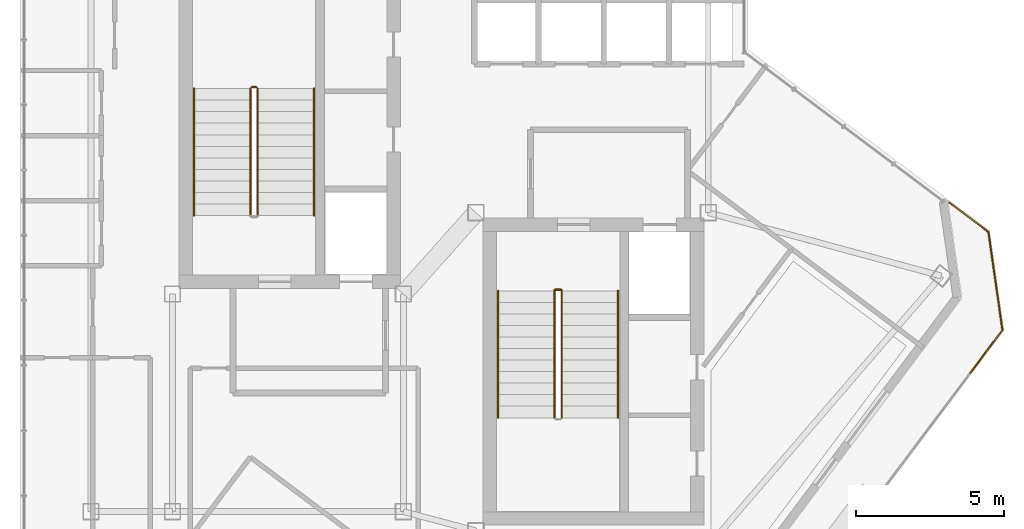
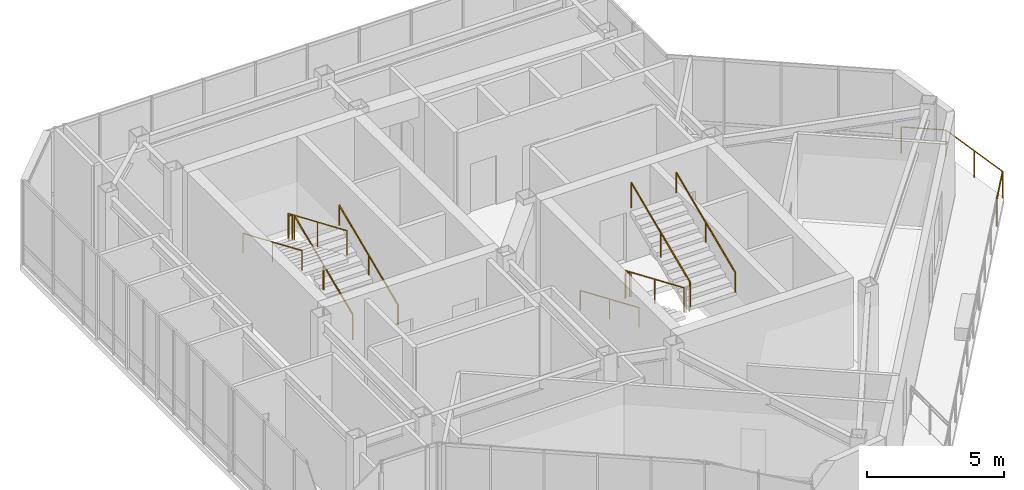
# One storey, part 22 of 23: 15 railings.
"""IFC4 building model written with IfcOpenShell, lengths in metres."""

import ifcopenshell
import ifcopenshell.guid

model = None  # the IFC model being written
_history = None  # IfcOwnerHistory: only IFC2X3 demands one
_inside = {}  # id of a spatial element -> (the spatial element, [elements in it])
_under = {}  # id of a project, library or spatial element -> (it, [spatial elements below it])
_declared = {}  # id of a project -> (the project, [libraries it declares])
_typed = {}  # id of a type object -> (the type object, [elements of that type])
_made_of = {}  # id of a material, layer set ... -> (it, [elements and type objects made of it])


def new_model(schema):
    """Start an empty IFC model of exactly this schema.

    Asked for "IFC4X3", IfcOpenShell would pick the latest addendum, in which some entities
    have other attributes; the version numbers below select the first issue.
    IFC2X3 requires an IfcOwnerHistory on every rooted entity: one is made here for all.
    """
    global model, _history
    if schema == "IFC4X3":
        model = ifcopenshell.file(schema_version=(4, 3, 0, 0))
    else:
        model = ifcopenshell.file(schema=schema)
    _inside.clear()
    _under.clear()
    _declared.clear()
    _typed.clear()
    _made_of.clear()
    _history = None
    if model.schema == "IFC2X3":
        org = make("IfcOrganization", Name="unknown")
        user = make(
            "IfcPersonAndOrganization",
            ThePerson=make("IfcPerson", FamilyName="unknown"),
            TheOrganization=org,
        )
        app = make(
            "IfcApplication",
            ApplicationDeveloper=org,
            Version="unknown",
            ApplicationFullName="unknown",
            ApplicationIdentifier="unknown",
        )
        _history = make(
            "IfcOwnerHistory",
            OwningUser=user,
            OwningApplication=app,
            ChangeAction="ADDED",
            CreationDate=0,
        )
    return model


def make(cls, **values):
    """One entity of the class cls with the attributes given. An attribute that is None is left unset."""
    return model.create_entity(
        cls, **{name: value for name, value in values.items() if value is not None}
    )


def rooted(cls, **values):
    """An entity with a GlobalId (a new one), such as an element, a storey or a relation."""
    return make(cls, GlobalId=ifcopenshell.guid.new(), OwnerHistory=_history, **values)


def si_unit(unit_type, name, prefix=None):
    """IfcSIUnit, for example si_unit("LENGTHUNIT", "METRE", prefix="MILLI")."""
    return make("IfcSIUnit", UnitType=unit_type, Prefix=prefix, Name=name)


def assignment(units):
    """IfcUnitAssignment: the units of a project."""
    return None if units is None else make("IfcUnitAssignment", Units=units)


def point(xyz):
    """IfcCartesianPoint."""
    return None if xyz is None else make("IfcCartesianPoint", Coordinates=xyz)


def direction(xyz):
    """IfcDirection."""
    return None if xyz is None else make("IfcDirection", DirectionRatios=xyz)


def frame(location, z_axis=None, x_axis=None):
    """IfcAxis2Placement3D, a coordinate frame: its origin and axes. An axis left out is left unset."""
    return make(
        "IfcAxis2Placement3D",
        Location=point(location),
        Axis=direction(z_axis),
        RefDirection=direction(x_axis),
    )


def frame_2d(location, x_axis=None):
    """IfcAxis2Placement2D, a coordinate frame in the plane: its origin and x axis."""
    return make(
        "IfcAxis2Placement2D", Location=point(location), RefDirection=direction(x_axis)
    )


def origin():
    """The frame at (0, 0, 0) with its axes left unset."""
    return frame((0.0, 0.0, 0.0))


def origin_2d():
    """The frame at (0, 0) in the plane with its x axis left unset."""
    return frame_2d((0.0, 0.0))


def place(relative_to, where):
    """IfcLocalPlacement: puts the frame where relative to a parent placement (None: the world)."""
    return make(
        "IfcLocalPlacement", PlacementRelTo=relative_to, RelativePlacement=where
    )


def context(
    kind, dimensions, precision=None, world=None, true_north=None, identifier=None
):
    """IfcGeometricRepresentationContext, for example the 3D "Model" context."""
    return make(
        "IfcGeometricRepresentationContext",
        ContextIdentifier=identifier,
        ContextType=kind,
        CoordinateSpaceDimension=dimensions,
        Precision=precision,
        WorldCoordinateSystem=world,
        TrueNorth=true_north,
    )


def subcontext(parent, identifier, kind, view, scale=None):
    """IfcGeometricRepresentationSubContext, for example "Body" below "Model"."""
    return make(
        "IfcGeometricRepresentationSubContext",
        ContextIdentifier=identifier,
        ContextType=kind,
        ParentContext=parent,
        TargetScale=scale,
        TargetView=view,
    )


def project(units=None, contexts=None):
    """IfcProject with its units and contexts."""
    return rooted(
        "IfcProject",
        Name="project",
        RepresentationContexts=contexts,
        UnitsInContext=assignment(units),
    )


def spatial(cls, under=None, at=None, **own):
    """A site, building, storey or space (cls), placed at a placement, below another one or the project."""
    s = rooted(cls, ObjectPlacement=at, **own)
    if under is not None:
        _under.setdefault(under.id(), (under, []))[1].append(s)
    return s


def profile(cls, at=None, kind="AREA", **sizes):
    """A parametric profile (cls). Its sizes go by their IFC names, for example OverallWidth=200.0."""
    return make(cls, ProfileType=kind, Position=at, **sizes)


def circle(**sizes):
    """IfcCircleProfileDef."""
    return profile("IfcCircleProfileDef", **sizes)


def extrude(swept, where, along, depth):
    """IfcExtrudedAreaSolid: the profile swept, set in the frame where, extruded along a direction by depth."""
    return make(
        "IfcExtrudedAreaSolid",
        SweptArea=swept,
        Position=where,
        ExtrudedDirection=direction(along),
        Depth=depth,
    )


def shape(context_of_items, identifier, shape_type, items):
    """IfcShapeRepresentation: the items that make up one representation, for example the "Body"."""
    return make(
        "IfcShapeRepresentation",
        ContextOfItems=context_of_items,
        RepresentationIdentifier=identifier,
        RepresentationType=shape_type,
        Items=items,
    )


def material(Name=None, Category=None):
    """IfcMaterial."""
    return make("IfcMaterial", Name=Name, Category=Category)


def layer(
    of_material, thickness, ventilated=None, Name=None, Category=None, Priority=None
):
    """IfcMaterialLayer: one layer of a wall or slab, of a material (None: an air gap)."""
    return make(
        "IfcMaterialLayer",
        Material=of_material,
        LayerThickness=thickness,
        IsVentilated=ventilated,
        Name=Name,
        Category=Category,
        Priority=Priority,
    )


def layer_set(layers, Name=None):
    """IfcMaterialLayerSet."""
    return make("IfcMaterialLayerSet", MaterialLayers=layers, LayerSetName=Name)


def made_of(thing, what):
    """Note that an element or type object is made of a material, layer set ...; save() writes the relation."""
    if what is not None:
        _made_of.setdefault(what.id(), (what, []))[1].append(thing)
    return thing


def type_object(cls, material=None, **own):
    """A type object (cls), such as IfcWallType, which elements share."""
    return made_of(rooted(cls, **own), material)


def element(
    cls,
    number,
    at=None,
    inside=None,
    cuts=None,
    type_object=None,
    material=None,
    context=None,
    identifier="Body",
    shape_type=None,
    held_by="IfcProductDefinitionShape",
    body=None,
    shapes=None,
    **own,
):
    """One element of the class cls, such as IfcWall. Its Tag is "e" and its number.

    at: its placement. inside: the storey or other place that contains it. cuts: it is an
    opening in that element (IfcRelVoidsElement). A single representation is given by context,
    identifier, shape_type and body (its items); several are given by shapes. held_by: the class
    of the entity that holds the representations. save() writes the other relations.
    """
    e = rooted(cls, Tag="e%d" % number, ObjectPlacement=at, **own)
    if body is not None:
        shapes = [shape(context, identifier, shape_type, body)]
    if shapes is not None:
        e.Representation = make(held_by, Representations=shapes)
    if inside is not None:
        _inside.setdefault(inside.id(), (inside, []))[1].append(e)
    if cuts is not None:
        rooted(
            "IfcRelVoidsElement", RelatingBuildingElement=cuts, RelatedOpeningElement=e
        )
    if type_object is not None:
        _typed.setdefault(type_object.id(), (type_object, []))[1].append(e)
    return made_of(e, material)


def aggregate(whole, parts):
    """IfcRelAggregates: a whole, such as a stair, and the parts it consists of."""
    return rooted("IfcRelAggregates", RelatingObject=whole, RelatedObjects=parts)


def save(model, path):
    """Write the relations noted so far, then the file.

    IfcRelAggregates (storeys below a building ...), IfcRelContainedInSpatialStructure (elements
    in a storey), IfcRelDefinesByType, IfcRelAssociatesMaterial and IfcRelDeclares: one each for
    every whole, place, type object, material and project.
    """
    for whole, parts in _under.values():
        aggregate(whole, parts)
    for where, things in _inside.values():
        rooted(
            "IfcRelContainedInSpatialStructure",
            RelatedElements=things,
            RelatingStructure=where,
        )
    for kind, things in _typed.values():
        rooted("IfcRelDefinesByType", RelatedObjects=things, RelatingType=kind)
    for what, things in _made_of.values():
        rooted("IfcRelAssociatesMaterial", RelatedObjects=things, RelatingMaterial=what)
    for by, libraries in _declared.values():
        rooted("IfcRelDeclares", RelatingContext=by, RelatedDefinitions=libraries)
    model.write(path)


model = new_model("IFC4")

# Units and contexts
model_context = context("Model", 3, precision=1e-05, world=origin(), true_north=direction((0.0, 1.0)))
body_context = subcontext(model_context, "Body", "Model", "MODEL_VIEW")
ifc_project = project(units=[si_unit("LENGTHUNIT", "METRE"), si_unit("AREAUNIT", "SQUARE_METRE"), si_unit("VOLUMEUNIT", "CUBIC_METRE"), si_unit("PLANEANGLEUNIT", "RADIAN"), si_unit("MASSUNIT", "GRAM", prefix="KILO")], contexts=[model_context])

# Site, building, storey
site_placement = place(None, origin())
site = spatial("IfcSite", under=ifc_project, at=site_placement, CompositionType="ELEMENT")
building_placement = place(site_placement, origin())
building = spatial("IfcBuilding", under=site, at=building_placement, Name="Hatsunagi Terrace Concourse", CompositionType="ELEMENT")
storey_placement = place(building_placement, frame((0.0, 0.0, 281.949951171875)))
storey = spatial("IfcBuildingStorey", under=building, at=storey_placement, Name="L74", CompositionType="ELEMENT", Elevation=281.949951171875)

# Railings
ifc_material_1 = material(Name="Stainless steel", Category="steel")
ifc_layer_1 = layer(ifc_material_1, 0.044921875)
ifc_layer_set_1 = layer_set([ifc_layer_1], Name="StairPitchHandrail_Tower2000")
railing_type_1 = type_object("IfcRailingType", Name="StairPitchHandrail_Tower2000", PredefinedType="HANDRAIL", material=ifc_layer_set_1)
railing_1_placement = place(storey_placement, frame((30.330078125, 35.199951171875, 0.166748046875)))
element("IfcRailing", 1, at=railing_1_placement, inside=storey, type_object=railing_type_1, Name="L74 ST-A stair handrail 1", PredefinedType="HANDRAIL", context=body_context, shape_type="SweptSolid", body=[
    extrude(circle(Radius=0.02392578125, at=origin_2d()), frame((0.0, 0.0, 0.8759765625), z_axis=(0.0, 0.919558658016, 0.39295276366), x_axis=(-1.0, 0.0, 0.0)), (0.0, 0.0, 1.0), 4.665283203125),
    extrude(circle(Radius=0.02099609375, at=origin_2d()), origin(), (0.0, 0.0, 1.0), 0.851806640625),
    extrude(circle(Radius=0.02099609375, at=origin_2d()), frame((0.0, 2.14501953125, 0.91650390625)), (0.0, 0.0, 1.0), 0.851806640625),
    extrude(circle(Radius=0.02099609375, at=origin_2d()), frame((0.0, 4.2900390625, 1.833251953125)), (0.0, 0.0, 1.0), 0.851806640625),
])
railing_2_placement = place(storey_placement, frame((26.280029296875, 39.489990234375, 2.166748046875)))
element("IfcRailing", 2, at=railing_2_placement, inside=storey, type_object=railing_type_1, Name="L74 ST-A stair handrail 2", PredefinedType="HANDRAIL", context=body_context, shape_type="SweptSolid", body=[
    extrude(circle(Radius=0.02392578125, at=origin_2d()), frame((0.0, 0.0, 0.8759765625), z_axis=(0.0, -0.919558658016, 0.39295276366), x_axis=(1.0, 0.0, 0.0)), (0.0, 0.0, 1.0), 4.665283203125),
    extrude(circle(Radius=0.02099609375, at=origin_2d()), origin(), (0.0, 0.0, 1.0), 0.851806640625),
    extrude(circle(Radius=0.02099609375, at=origin_2d()), frame((0.0, -2.14501953125, 0.91650390625)), (0.0, 0.0, 1.0), 0.851806640625),
    extrude(circle(Radius=0.02099609375, at=origin_2d()), frame((0.0, -4.2900390625, 1.833251953125)), (0.0, 0.0, 1.0), 0.851806640625),
])
railing_3_placement = place(storey_placement, frame((36.550048828125, 32.659912109375, 0.166748046875)))
element("IfcRailing", 3, at=railing_3_placement, inside=storey, type_object=railing_type_1, Name="L74 ST-B stair handrail 1", PredefinedType="HANDRAIL", context=body_context, shape_type="SweptSolid", body=[
    extrude(circle(Radius=0.02392578125, at=origin_2d()), frame((0.0, 0.0, 0.8759765625), z_axis=(0.0, -0.919550576919, 0.392971673899), x_axis=(1.0, 0.0, 0.0)), (0.0, 0.0, 1.0), 4.6650390625),
    extrude(circle(Radius=0.02099609375, at=origin_2d()), origin(), (0.0, 0.0, 1.0), 0.851806640625),
    extrude(circle(Radius=0.02099609375, at=origin_2d()), frame((0.0, -2.14501953125, 0.91650390625)), (0.0, 0.0, 1.0), 0.851806640625),
    extrude(circle(Radius=0.02099609375, at=origin_2d()), frame((0.0, -4.289794921875, 1.833251953125)), (0.0, 0.0, 1.0), 0.851806640625),
])
railing_4_placement = place(storey_placement, frame((40.60009765625, 28.3701171875, 2.166748046875)))
element("IfcRailing", 4, at=railing_4_placement, inside=storey, type_object=railing_type_1, Name="L74 ST-B stair handrail 2", PredefinedType="HANDRAIL", context=body_context, shape_type="SweptSolid", body=[
    extrude(circle(Radius=0.02392578125, at=origin_2d()), frame((0.0, 0.0, 0.8759765625), z_axis=(0.0, 0.919550576919, 0.392971673899), x_axis=(-1.0, 0.0, 0.0)), (0.0, 0.0, 1.0), 4.6650390625),
    extrude(circle(Radius=0.02099609375, at=origin_2d()), origin(), (0.0, 0.0, 1.0), 0.851806640625),
    extrude(circle(Radius=0.02099609375, at=origin_2d()), frame((0.0, 2.14501953125, 0.91650390625)), (0.0, 0.0, 1.0), 0.851806640625),
    extrude(circle(Radius=0.02099609375, at=origin_2d()), frame((0.0, 4.289794921875, 1.833251953125)), (0.0, 0.0, 1.0), 0.851806640625),
])
ifc_material_2 = material(Name="Stainless steel", Category="steel")
ifc_layer_2 = layer(ifc_material_2, 0.06005859375)
ifc_layer_set_2 = layer_set([ifc_layer_2], Name="StairWellGuard_Tower2000")
railing_type_2 = type_object("IfcRailingType", Name="StairWellGuard_Tower2000", PredefinedType="BALUSTRADE", material=ifc_layer_set_2)
railing_5_placement = place(storey_placement, frame((28.429931640625, 35.199951171875, 0.166748046875)))
element("IfcRailing", 5, at=railing_5_placement, inside=storey, type_object=railing_type_2, Name="L74 ST-A stair guard 1", PredefinedType="BALUSTRADE", context=body_context, shape_type="SweptSolid", body=[
    extrude(circle(Radius=0.02392578125, at=origin_2d()), frame((0.0, 0.0, 1.09619140625), z_axis=(0.0, 0.919558658016, 0.39295276366), x_axis=(-1.0, 0.0, 0.0)), (0.0, 0.0, 1.0), 4.665283203125),
    extrude(circle(Radius=0.02099609375, at=origin_2d()), origin(), (0.0, 0.0, 1.0), 1.072021484375),
    extrude(circle(Radius=0.02099609375, at=origin_2d()), frame((0.0, 2.14501953125, 0.91650390625)), (0.0, 0.0, 1.0), 1.072021484375),
    extrude(circle(Radius=0.02099609375, at=origin_2d()), frame((0.0, 4.2900390625, 1.833251953125)), (0.0, 0.0, 1.0), 1.072021484375),
])
railing_6_placement = place(storey_placement, frame((28.3798828125, 39.5400390625, 2.0)))
element("IfcRailing", 6, at=railing_6_placement, inside=storey, type_object=railing_type_2, Name="L74 ST-A stair guard 2", PredefinedType="BALUSTRADE", context=body_context, shape_type="SweptSolid", body=[
    extrude(circle(Radius=0.02392578125, at=origin_2d()), frame((0.0, 0.0, 1.09619140625), z_axis=(-1.0, 0.0, 0.0), x_axis=(0.0, -1.0, 0.0)), (0.0, 0.0, 1.0), 0.14990234375),
    extrude(circle(Radius=0.02099609375, at=origin_2d()), origin(), (0.0, 0.0, 1.0), 1.072021484375),
    extrude(circle(Radius=0.02099609375, at=origin_2d()), frame((-0.14990234375, 0.0, 0.0)), (0.0, 0.0, 1.0), 1.072021484375),
])
railing_7_placement = place(storey_placement, frame((28.179931640625, 39.489990234375, 2.166748046875)))
element("IfcRailing", 7, at=railing_7_placement, inside=storey, type_object=railing_type_2, Name="L74 ST-A stair guard 3", PredefinedType="BALUSTRADE", context=body_context, shape_type="SweptSolid", body=[
    extrude(circle(Radius=0.02392578125, at=origin_2d()), frame((0.0, 0.0, 1.09619140625), z_axis=(0.0, -0.919558658016, 0.39295276366), x_axis=(1.0, 0.0, 0.0)), (0.0, 0.0, 1.0), 4.665283203125),
    extrude(circle(Radius=0.02099609375, at=origin_2d()), origin(), (0.0, 0.0, 1.0), 1.072021484375),
    extrude(circle(Radius=0.02099609375, at=origin_2d()), frame((0.0, -2.14501953125, 0.91650390625)), (0.0, 0.0, 1.0), 1.072021484375),
    extrude(circle(Radius=0.02099609375, at=origin_2d()), frame((0.0, -4.2900390625, 1.833251953125)), (0.0, 0.0, 1.0), 1.072021484375),
])
railing_8_placement = place(storey_placement, frame((38.449951171875, 32.659912109375, 0.166748046875)))
element("IfcRailing", 8, at=railing_8_placement, inside=storey, type_object=railing_type_2, Name="L74 ST-B stair guard 1", PredefinedType="BALUSTRADE", context=body_context, shape_type="SweptSolid", body=[
    extrude(circle(Radius=0.02392578125, at=origin_2d()), frame((0.0, 0.0, 1.09619140625), z_axis=(0.0, -0.919550576919, 0.392971673899), x_axis=(1.0, 0.0, 0.0)), (0.0, 0.0, 1.0), 4.6650390625),
    extrude(circle(Radius=0.02099609375, at=origin_2d()), origin(), (0.0, 0.0, 1.0), 1.072021484375),
    extrude(circle(Radius=0.02099609375, at=origin_2d()), frame((0.0, -2.14501953125, 0.91650390625)), (0.0, 0.0, 1.0), 1.072021484375),
    extrude(circle(Radius=0.02099609375, at=origin_2d()), frame((0.0, -4.289794921875, 1.833251953125)), (0.0, 0.0, 1.0), 1.072021484375),
])
railing_9_placement = place(storey_placement, frame((38.699951171875, 28.3701171875, 2.166748046875)))
element("IfcRailing", 9, at=railing_9_placement, inside=storey, type_object=railing_type_2, Name="L74 ST-B stair guard 3", PredefinedType="BALUSTRADE", context=body_context, shape_type="SweptSolid", body=[
    extrude(circle(Radius=0.02392578125, at=origin_2d()), frame((0.0, 0.0, 1.09619140625), z_axis=(0.0, 0.919550576919, 0.392971673899), x_axis=(-1.0, 0.0, 0.0)), (0.0, 0.0, 1.0), 4.6650390625),
    extrude(circle(Radius=0.02099609375, at=origin_2d()), origin(), (0.0, 0.0, 1.0), 1.072021484375),
    extrude(circle(Radius=0.02099609375, at=origin_2d()), frame((0.0, 2.14501953125, 0.91650390625)), (0.0, 0.0, 1.0), 1.072021484375),
    extrude(circle(Radius=0.02099609375, at=origin_2d()), frame((0.0, 4.289794921875, 1.833251953125)), (0.0, 0.0, 1.0), 1.072021484375),
])
railing_10_placement = place(storey_placement, frame((38.5, 32.7099609375, 0.0)))
element("IfcRailing", 10, at=railing_10_placement, inside=storey, type_object=railing_type_2, Name="L74 ST-B stair guard 4", PredefinedType="BALUSTRADE", context=body_context, shape_type="SweptSolid", body=[
    extrude(circle(Radius=0.02392578125, at=origin_2d()), frame((0.0, 0.0, 1.09619140625), z_axis=(1.0, 0.0, 0.0), x_axis=(0.0, 1.0, 0.0)), (0.0, 0.0, 1.0), 0.14990234375),
    extrude(circle(Radius=0.02099609375, at=origin_2d()), origin(), (0.0, 0.0, 1.0), 1.072021484375),
    extrude(circle(Radius=0.02099609375, at=origin_2d()), frame((0.14990234375, 0.0, 0.0)), (0.0, 0.0, 1.0), 1.072021484375),
])
ifc_material_3 = material(Name="Stainless Steel SUS316 Post-and-Rail Guard", Category="steel")
ifc_layer_3 = layer(ifc_material_3, 0.080078125)
ifc_layer_set_3 = layer_set([ifc_layer_3], Name="TerracePlantedGuardRail_1200")
railing_type_3 = type_object("IfcRailingType", Name="TerracePlantedGuardRail_1200", PredefinedType="GUARDRAIL", material=ifc_layer_set_3)
railing_11_placement = place(storey_placement, frame((38.449951171875, 32.679931640625, 0.0)))
element("IfcRailing", 11, at=railing_11_placement, inside=storey, type_object=railing_type_3, Name="Stair ST-B Well Closure Guard L74", PredefinedType="GUARDRAIL", context=body_context, shape_type="SweptSolid", body=[
    extrude(circle(Radius=0.02392578125, at=origin_2d()), frame((0.0, 0.0, 1.09619140625), z_axis=(1.0, 0.0, 0.0), x_axis=(0.0, 1.0, 0.0)), (0.0, 0.0, 1.0), 0.25),
    extrude(circle(Radius=0.02099609375, at=origin_2d()), origin(), (0.0, 0.0, 1.0), 1.072021484375),
    extrude(circle(Radius=0.02099609375, at=origin_2d()), frame((0.25, 0.0, 0.0)), (0.0, 0.0, 1.0), 1.072021484375),
])
railing_12_placement = place(storey_placement, frame((51.801025390625, 35.637939453125, 0.010009765625)))
element("IfcRailing", 12, at=railing_12_placement, inside=storey, type_object=railing_type_3, Name="Sky Garden Guardrail GRD-02 TER-L74-2-1 #1", PredefinedType="GUARDRAIL", context=body_context, shape_type="SweptSolid", body=[
    extrude(circle(Radius=0.02392578125, at=origin_2d()), frame((0.0, 0.0, 1.17578125), z_axis=(0.799464126631, -0.600713833892, 0.0), x_axis=(0.600713833892, 0.799464126631, 0.0)), (0.0, 0.0, 1.0), 1.64111328125),
    extrude(circle(Radius=0.02099609375, at=origin_2d()), origin(), (0.0, 0.0, 1.0), 1.15185546875),
    extrude(circle(Radius=0.02099609375, at=origin_2d()), frame((1.31201171875, -0.98583984375, 0.0)), (0.0, 0.0, 1.0), 1.15185546875),
])
railing_13_placement = place(storey_placement, frame((53.113037109375, 34.652099609375, 0.010009765625)))
element("IfcRailing", 13, at=railing_13_placement, inside=storey, type_object=railing_type_3, Name="Sky Garden Guardrail GRD-02 TER-L74-2-1 #2", PredefinedType="GUARDRAIL", context=body_context, shape_type="SweptSolid", body=[
    extrude(circle(Radius=0.02392578125, at=origin_2d()), frame((0.0, 0.0, 1.17578125), z_axis=(0.141707392031, -0.989908589236, 0.0), x_axis=(0.989908589236, 0.141707392031, 0.0)), (0.0, 0.0, 1.0), 1.6728515625),
    extrude(circle(Radius=0.02099609375, at=origin_2d()), origin(), (0.0, 0.0, 1.0), 1.15185546875),
    extrude(circle(Radius=0.02099609375, at=origin_2d()), frame((0.237060546875, -1.656005859375, 0.0)), (0.0, 0.0, 1.0), 1.15185546875),
])
railing_14_placement = place(storey_placement, frame((53.35107421875, 32.989013671875, 0.010009765625)))
element("IfcRailing", 14, at=railing_14_placement, inside=storey, type_object=railing_type_3, Name="Sky Garden Guardrail GRD-02 TER-L74-2-1 #3", PredefinedType="GUARDRAIL", context=body_context, shape_type="SweptSolid", body=[
    extrude(circle(Radius=0.02392578125, at=origin_2d()), frame((0.0, 0.0, 1.17578125), z_axis=(0.141564378566, -0.989929051357, 0.0), x_axis=(0.989929051357, 0.141564378566, 0.0)), (0.0, 0.0, 1.0), 1.6728515625),
    extrude(circle(Radius=0.02099609375, at=origin_2d()), origin(), (0.0, 0.0, 1.0), 1.15185546875),
    extrude(circle(Radius=0.02099609375, at=origin_2d()), frame((0.23681640625, -1.656005859375, 0.0)), (0.0, 0.0, 1.0), 1.15185546875),
])
railing_15_placement = place(storey_placement, frame((53.587890625, 31.3330078125, 0.010009765625)))
element("IfcRailing", 15, at=railing_15_placement, inside=storey, type_object=railing_type_3, Name="Sky Garden Guardrail GRD-02 TER-L74-2-1 #4", PredefinedType="GUARDRAIL", context=body_context, shape_type="SweptSolid", body=[
    extrude(circle(Radius=0.02392578125, at=origin_2d()), frame((0.0, 0.0, 1.17578125), z_axis=(-0.599956474725, -0.800032642106, 0.0), x_axis=(0.800032642106, -0.599956474725, 0.0)), (0.0, 0.0, 1.0), 1.794921875),
    extrude(circle(Radius=0.02099609375, at=origin_2d()), origin(), (0.0, 0.0, 1.0), 1.15185546875),
    extrude(circle(Radius=0.02099609375, at=origin_2d()), frame((-1.076904296875, -1.43603515625, 0.0)), (0.0, 0.0, 1.0), 1.15185546875),
])

save(model, "model.ifc")
